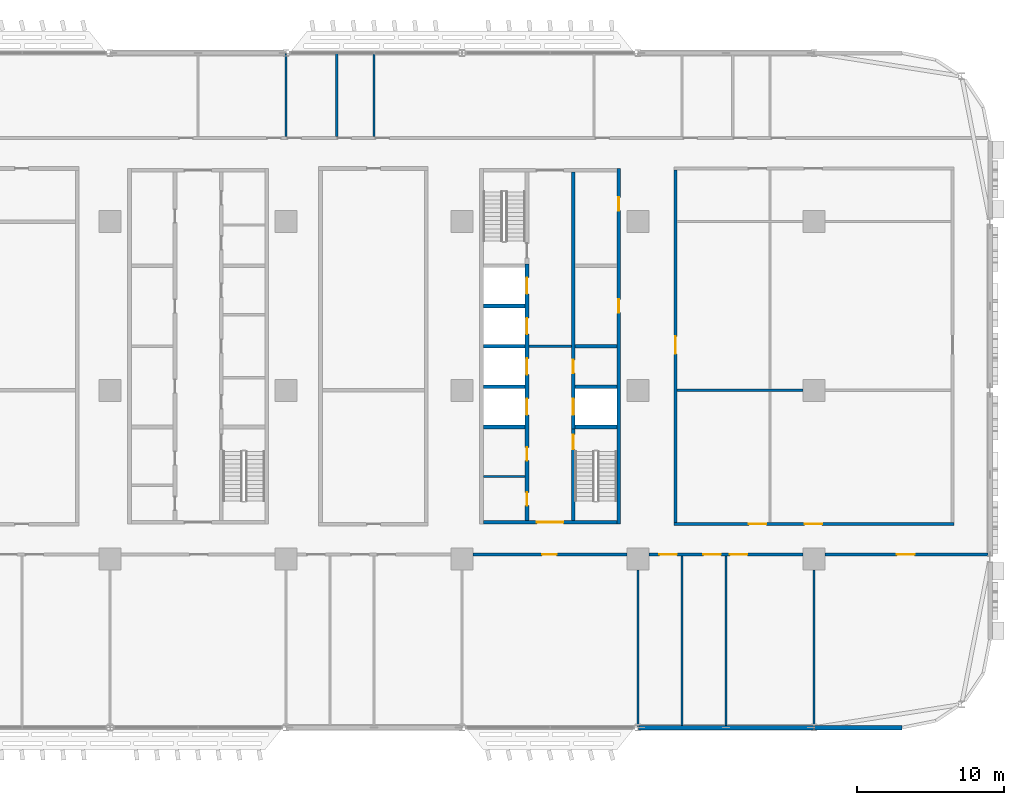
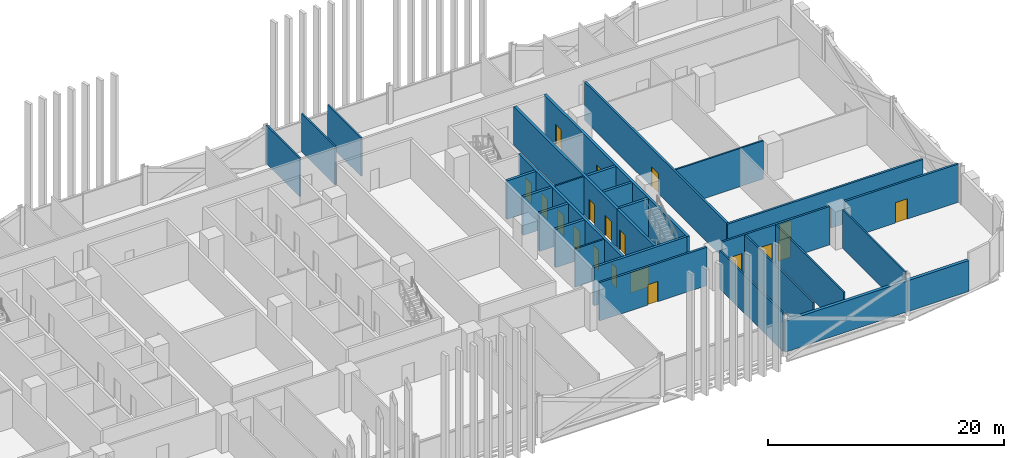
# One storey, part 16 of 29: 29 walls, 20 doors, 20 openings.
"""IFC4 building model written with IfcOpenShell, lengths in metres."""

from ifc_helpers import new_model, si_unit, direction, frame, frame_2d, origin, place, context, subcontext, project, spatial, rectangle, extrude, material, layer, layer_set, type_object, element, fill, save


model = new_model("IFC4")

# Units and contexts
model_context = context("Model", 3, precision=1e-05, world=origin(), true_north=direction((0.0, 1.0)))
body_context = subcontext(model_context, "Body", "Model", "MODEL_VIEW")
ifc_project = project(units=[si_unit("LENGTHUNIT", "METRE"), si_unit("AREAUNIT", "SQUARE_METRE"), si_unit("VOLUMEUNIT", "CUBIC_METRE"), si_unit("PLANEANGLEUNIT", "RADIAN"), si_unit("MASSUNIT", "GRAM", prefix="KILO")], contexts=[model_context])

# Site, building, storey
site_placement = place(None, origin())
site = spatial("IfcSite", under=ifc_project, at=site_placement, CompositionType="ELEMENT")
building_placement = place(site_placement, origin())
building = spatial("IfcBuilding", under=site, at=building_placement, Name="Mahtab Terrace Research Tower", CompositionType="ELEMENT")
storey_placement = place(building_placement, frame((0.0, 0.0, 63.199951171875)))
storey = spatial("IfcBuildingStorey", under=building, at=storey_placement, Name="L14", CompositionType="ELEMENT", Elevation=63.199951171875)

# Walls
ifc_material_1 = material(Name="Gypsum board partition")
ifc_layer_1 = layer(ifc_material_1, 0.14990234375)
ifc_layer_set_1 = layer_set([ifc_layer_1], Name="Core partition 150")
wall_type_1 = type_object("IfcWallType", Name="Core partition 150", PredefinedType="PARTITIONING", material=ifc_layer_set_1)
wall_1_placement = place(storey_placement, frame((22.550048828125, 3.0, 0.0), z_axis=(0.0, 0.0, 1.0), x_axis=(1.0, 0.0, 0.0)))
element("IfcWall", 1, at=wall_1_placement, inside=storey, type_object=wall_type_1, Name="Core wall C ffl", PredefinedType="PARTITIONING", context=body_context, shape_type="SweptSolid", body=[
    extrude(rectangle(XDim=2.89990234375, YDim=0.14990234375, at=frame_2d((1.449951171875, 0.0))), origin(), (0.0, 0.0, 1.0), 3.9599609375),
])
wall_2_placement = place(storey_placement, frame((19.449951171875, -5.875, 0.0), z_axis=(0.0, 0.0, 1.0), x_axis=(1.0, 0.0, 0.0)))
element("IfcWall", 2, at=wall_2_placement, inside=storey, type_object=wall_type_1, Name="Core wall C pWS-888", PredefinedType="PARTITIONING", context=body_context, shape_type="SweptSolid", body=[
    extrude(rectangle(XDim=2.85009765625, YDim=0.14990234375, at=frame_2d((1.425048828125, 0.0))), origin(), (0.0, 0.0, 1.0), 3.9599609375),
])

# Wall, openings, doors
ifc_material_2 = material(Name="Concrete C70/85", Category="concrete")
ifc_layer_2 = layer(ifc_material_2, 0.25)
ifc_layer_set_2 = layer_set([ifc_layer_2], Name="Core wall 250")
wall_type_2 = type_object("IfcWallType", Name="Core wall 250", PredefinedType="SOLIDWALL", material=ifc_layer_set_2)
wall_3_placement = place(storey_placement, frame((28.675048828125, -9.125, 0.0), z_axis=(0.0, 0.0, 1.0), x_axis=(0.0, 1.0, 0.0)))
wall_3 = element("IfcWall", 3, at=wall_3_placement, inside=storey, type_object=wall_type_2, Name="Core wall C outerE", PredefinedType="SOLIDWALL", context=body_context, shape_type="SweptSolid", body=[
    extrude(rectangle(XDim=24.25, YDim=0.25, at=frame_2d((12.125, 0.0))), origin(), (0.0, 0.0, 1.0), 3.9599609375),
])
opening_1_placement = place(wall_3_placement, frame((14.425048828125, 0.0, 0.0)))
opening_1 = element("IfcOpeningElement", 4, at=opening_1_placement, cuts=wall_3, Name="Opening C-R2", PredefinedType="OPENING", context=body_context, shape_type="SweptSolid", body=[
    extrude(rectangle(XDim=0.89990234375, YDim=2.10009765625, at=frame_2d((0.449951171875, 1.050048828125))), frame((0.0, 0.135009765625, 0.0), z_axis=(0.0, -1.0, 0.0), x_axis=(1.0, 0.0, 0.0)), (0.0, 0.0, 1.0), 0.27001953125),
])
opening_2_placement = place(wall_3_placement, frame((21.375, 0.0, 0.0)))
opening_2 = element("IfcOpeningElement", 5, at=opening_2_placement, cuts=wall_3, Name="Opening C-R5", PredefinedType="OPENING", context=body_context, shape_type="SweptSolid", body=[
    extrude(rectangle(XDim=0.89990234375, YDim=2.10009765625, at=frame_2d((0.449951171875, 1.050048828125))), frame((0.0, 0.135009765625, 0.0), z_axis=(0.0, -1.0, 0.0), x_axis=(1.0, 0.0, 0.0)), (0.0, 0.0, 1.0), 0.27001953125),
])
ifc_material_3 = material(Name="Steel fire door", Category="steel")
door_type_1 = type_object("IfcDoorType", Name="Room door 900x2100 1 HR", OperationType="NOTDEFINED", PredefinedType="DOOR", material=ifc_material_3)
door_1_placement = place(opening_1_placement, origin())
door_1 = element("IfcDoor", 6, at=door_1_placement, inside=storey, type_object=door_type_1, Name="Plant room door", OperationType="SINGLE_SWING_RIGHT", OverallHeight=2.10009765625, OverallWidth=0.89990234375, PredefinedType="DOOR", context=body_context, shape_type="SweptSolid", body=[
    extrude(rectangle(XDim=0.89990234375, YDim=2.10009765625, at=frame_2d((0.449951171875, 1.050048828125))), frame((0.0, 0.02490234375, 0.0), z_axis=(0.0, -1.0, 0.0), x_axis=(1.0, 0.0, 0.0)), (0.0, 0.0, 1.0), 0.050048828125),
])
fill(opening_1, door_1)
door_2_placement = place(opening_2_placement, origin())
door_2 = element("IfcDoor", 7, at=door_2_placement, inside=storey, type_object=door_type_1, Name="Gas cylinder store door", OperationType="SINGLE_SWING_LEFT", OverallHeight=2.10009765625, OverallWidth=0.89990234375, PredefinedType="DOOR", context=body_context, shape_type="SweptSolid", body=[
    extrude(rectangle(XDim=0.89990234375, YDim=2.10009765625, at=frame_2d((0.449951171875, 1.050048828125))), frame((0.0, 0.02490234375, 0.0), z_axis=(0.0, -1.0, 0.0), x_axis=(1.0, 0.0, 0.0)), (0.0, 0.0, 1.0), 0.050048828125),
])
fill(opening_2, door_2)

# Wall, opening, door
wall_4_placement = place(storey_placement, frame((28.550048828125, -9.0, 0.0), z_axis=(0.0, 0.0, 1.0), x_axis=(-1.0, 0.0, 0.0)))
wall_4 = element("IfcWall", 8, at=wall_4_placement, inside=storey, type_object=wall_type_2, Name="Core wall C endS", PredefinedType="SOLIDWALL", context=body_context, shape_type="SweptSolid", body=[
    extrude(rectangle(XDim=9.10009765625, YDim=0.25, at=frame_2d((4.550048828125, 0.0))), origin(), (0.0, 0.0, 1.0), 3.9599609375),
])
opening_3_placement = place(wall_4_placement, frame((3.64990234375, 0.0, 0.0)))
opening_3 = element("IfcOpeningElement", 9, at=opening_3_placement, cuts=wall_4, Name="Opening C-S1", PredefinedType="OPENING", context=body_context, shape_type="SweptSolid", body=[
    extrude(rectangle(XDim=1.800048828125, YDim=2.10009765625, at=frame_2d((0.89990234375, 1.050048828125))), frame((0.0, 0.135009765625, 0.0), z_axis=(0.0, -1.0, 0.0), x_axis=(1.0, 0.0, 0.0)), (0.0, 0.0, 1.0), 0.27001953125),
])
door_type_2 = type_object("IfcDoorType", Name="Lobby double door 1800x2100 1 HR", OperationType="DOUBLE_DOOR_SINGLE_SWING", PredefinedType="DOOR", material=ifc_material_3)
door_3_placement = place(opening_3_placement, origin())
door_3 = element("IfcDoor", 10, at=door_3_placement, inside=storey, type_object=door_type_2, Name="Core entrance door C S", OperationType="DOUBLE_DOOR_SINGLE_SWING", OverallHeight=2.10009765625, OverallWidth=1.800048828125, PredefinedType="DOOR", context=body_context, shape_type="SweptSolid", body=[
    extrude(rectangle(XDim=1.800048828125, YDim=2.10009765625, at=frame_2d((0.89990234375, 1.050048828125))), frame((0.0, 0.02490234375, 0.0), z_axis=(0.0, -1.0, 0.0), x_axis=(1.0, 0.0, 0.0)), (0.0, 0.0, 1.0), 0.050048828125),
])
fill(opening_3, door_3)

# Wall, openings, doors
wall_5_placement = place(storey_placement, frame((22.425048828125, -8.875, 0.0), z_axis=(0.0, 0.0, 1.0), x_axis=(0.0, 1.0, 0.0)))
wall_5 = element("IfcWall", 11, at=wall_5_placement, inside=storey, type_object=wall_type_2, Name="Core wall C innerWSL", PredefinedType="SOLIDWALL", context=body_context, shape_type="SweptSolid", body=[
    extrude(rectangle(XDim=17.5, YDim=0.25, at=frame_2d((8.75, 0.0))), origin(), (0.0, 0.0, 1.0), 3.9599609375),
])
opening_4_placement = place(wall_5_placement, frame((7.199951171875, 0.0, 0.0)))
opening_4 = element("IfcOpeningElement", 12, at=opening_4_placement, cuts=wall_5, Name="Opening LD17-L14", PredefinedType="OPENING", context=body_context, shape_type="SweptSolid", body=[
    extrude(rectangle(XDim=1.10009765625, YDim=2.10009765625, at=frame_2d((0.550048828125, 1.050048828125))), frame((0.0, 0.135009765625, 0.0), z_axis=(0.0, -1.0, 0.0), x_axis=(1.0, 0.0, 0.0)), (0.0, 0.0, 1.0), 0.27001953125),
])
opening_5_placement = place(wall_5_placement, frame((9.949951171875, 0.0, 0.0)))
opening_5 = element("IfcOpeningElement", 13, at=opening_5_placement, cuts=wall_5, Name="Opening LD18-L14", PredefinedType="OPENING", context=body_context, shape_type="SweptSolid", body=[
    extrude(rectangle(XDim=1.10009765625, YDim=2.10009765625, at=frame_2d((0.550048828125, 1.050048828125))), frame((0.0, 0.135009765625, 0.0), z_axis=(0.0, -1.0, 0.0), x_axis=(1.0, 0.0, 0.0)), (0.0, 0.0, 1.0), 0.27001953125),
])
opening_6_placement = place(wall_5_placement, frame((12.699951171875, 0.0, 0.0)))
opening_6 = element("IfcOpeningElement", 14, at=opening_6_placement, cuts=wall_5, Name="Opening LD19-L14", PredefinedType="OPENING", context=body_context, shape_type="SweptSolid", body=[
    extrude(rectangle(XDim=1.10009765625, YDim=2.10009765625, at=frame_2d((0.550048828125, 1.050048828125))), frame((0.0, 0.135009765625, 0.0), z_axis=(0.0, -1.0, 0.0), x_axis=(1.0, 0.0, 0.0)), (0.0, 0.0, 1.0), 0.27001953125),
])
opening_7_placement = place(wall_5_placement, frame((15.449951171875, 0.0, 0.0)))
opening_7 = element("IfcOpeningElement", 15, at=opening_7_placement, cuts=wall_5, Name="Opening LD20-L14", PredefinedType="OPENING", context=body_context, shape_type="SweptSolid", body=[
    extrude(rectangle(XDim=1.10009765625, YDim=2.10009765625, at=frame_2d((0.550048828125, 1.050048828125))), frame((0.0, 0.135009765625, 0.0), z_axis=(0.0, -1.0, 0.0), x_axis=(1.0, 0.0, 0.0)), (0.0, 0.0, 1.0), 0.27001953125),
])
opening_8_placement = place(wall_5_placement, frame((1.012451171875, 0.0, 0.0)))
opening_8 = element("IfcOpeningElement", 16, at=opening_8_placement, cuts=wall_5, Name="Opening C-R3", PredefinedType="OPENING", context=body_context, shape_type="SweptSolid", body=[
    extrude(rectangle(XDim=0.89990234375, YDim=2.10009765625, at=frame_2d((0.449951171875, 1.050048828125))), frame((0.0, 0.135009765625, 0.0), z_axis=(0.0, -1.0, 0.0), x_axis=(1.0, 0.0, 0.0)), (0.0, 0.0, 1.0), 0.27001953125),
])
opening_9_placement = place(wall_5_placement, frame((4.08740234375, 0.0, 0.0)))
opening_9 = element("IfcOpeningElement", 17, at=opening_9_placement, cuts=wall_5, Name="Opening C-R4", PredefinedType="OPENING", context=body_context, shape_type="SweptSolid", body=[
    extrude(rectangle(XDim=0.89990234375, YDim=2.10009765625, at=frame_2d((0.449951171875, 1.050048828125))), frame((0.0, 0.135009765625, 0.0), z_axis=(0.0, -1.0, 0.0), x_axis=(1.0, 0.0, 0.0)), (0.0, 0.0, 1.0), 0.27001953125),
])
ifc_material_4 = material(Name="Stainless steel AISI 304", Category="steel")
door_type_3 = type_object("IfcDoorType", Name="Landing door 1100x2100", OperationType="DOUBLE_DOOR_SLIDING", PredefinedType="DOOR", material=ifc_material_4)
door_4_placement = place(opening_4_placement, origin())
door_4 = element("IfcDoor", 18, at=door_4_placement, inside=storey, type_object=door_type_3, Name="Landing door SV1 L14", OperationType="DOUBLE_DOOR_SLIDING", OverallHeight=2.10009765625, OverallWidth=1.10009765625, PredefinedType="DOOR", context=body_context, shape_type="SweptSolid", body=[
    extrude(rectangle(XDim=1.10009765625, YDim=2.10009765625, at=frame_2d((0.550048828125, 1.050048828125))), frame((0.0, 0.02490234375, 0.0), z_axis=(0.0, -1.0, 0.0), x_axis=(1.0, 0.0, 0.0)), (0.0, 0.0, 1.0), 0.050048828125),
])
fill(opening_4, door_4)
door_5_placement = place(opening_5_placement, origin())
door_5 = element("IfcDoor", 19, at=door_5_placement, inside=storey, type_object=door_type_3, Name="Landing door SV2 L14", OperationType="DOUBLE_DOOR_SLIDING", OverallHeight=2.10009765625, OverallWidth=1.10009765625, PredefinedType="DOOR", context=body_context, shape_type="SweptSolid", body=[
    extrude(rectangle(XDim=1.10009765625, YDim=2.10009765625, at=frame_2d((0.550048828125, 1.050048828125))), frame((0.0, 0.02490234375, 0.0), z_axis=(0.0, -1.0, 0.0), x_axis=(1.0, 0.0, 0.0)), (0.0, 0.0, 1.0), 0.050048828125),
])
fill(opening_5, door_5)
door_6_placement = place(opening_6_placement, origin())
door_6 = element("IfcDoor", 20, at=door_6_placement, inside=storey, type_object=door_type_3, Name="Landing door FF1 L14", OperationType="DOUBLE_DOOR_SLIDING", OverallHeight=2.10009765625, OverallWidth=1.10009765625, PredefinedType="DOOR", context=body_context, shape_type="SweptSolid", body=[
    extrude(rectangle(XDim=1.10009765625, YDim=2.10009765625, at=frame_2d((0.550048828125, 1.050048828125))), frame((0.0, 0.02490234375, 0.0), z_axis=(0.0, -1.0, 0.0), x_axis=(1.0, 0.0, 0.0)), (0.0, 0.0, 1.0), 0.050048828125),
])
fill(opening_6, door_6)
door_7_placement = place(opening_7_placement, origin())
door_7 = element("IfcDoor", 21, at=door_7_placement, inside=storey, type_object=door_type_3, Name="Landing door FF2 L14", OperationType="DOUBLE_DOOR_SLIDING", OverallHeight=2.10009765625, OverallWidth=1.10009765625, PredefinedType="DOOR", context=body_context, shape_type="SweptSolid", body=[
    extrude(rectangle(XDim=1.10009765625, YDim=2.10009765625, at=frame_2d((0.550048828125, 1.050048828125))), frame((0.0, 0.02490234375, 0.0), z_axis=(0.0, -1.0, 0.0), x_axis=(1.0, 0.0, 0.0)), (0.0, 0.0, 1.0), 0.050048828125),
])
fill(opening_7, door_7)
door_8_placement = place(opening_8_placement, origin())
door_8 = element("IfcDoor", 22, at=door_8_placement, inside=storey, type_object=door_type_1, Name="Staff WC door", OperationType="SINGLE_SWING_LEFT", OverallHeight=2.10009765625, OverallWidth=0.89990234375, PredefinedType="DOOR", context=body_context, shape_type="SweptSolid", body=[
    extrude(rectangle(XDim=0.89990234375, YDim=2.10009765625, at=frame_2d((0.449951171875, 1.050048828125))), frame((0.0, 0.02490234375, 0.0), z_axis=(0.0, -1.0, 0.0), x_axis=(1.0, 0.0, 0.0)), (0.0, 0.0, 1.0), 0.050048828125),
])
fill(opening_8, door_8)
door_9_placement = place(opening_9_placement, origin())
door_9 = element("IfcDoor", 23, at=door_9_placement, inside=storey, type_object=door_type_1, Name="Accessible WC door", OperationType="SINGLE_SWING_RIGHT", OverallHeight=2.10009765625, OverallWidth=0.89990234375, PredefinedType="DOOR", context=body_context, shape_type="SweptSolid", body=[
    extrude(rectangle(XDim=0.89990234375, YDim=2.10009765625, at=frame_2d((0.449951171875, 1.050048828125))), frame((0.0, 0.02490234375, 0.0), z_axis=(0.0, -1.0, 0.0), x_axis=(1.0, 0.0, 0.0)), (0.0, 0.0, 1.0), 0.050048828125),
])
fill(opening_9, door_9)

# Wall, opening, door
wall_6_placement = place(storey_placement, frame((25.574951171875, -8.875, 0.0), z_axis=(0.0, 0.0, 1.0), x_axis=(0.0, 1.0, 0.0)))
wall_6 = element("IfcWall", 24, at=wall_6_placement, inside=storey, type_object=wall_type_2, Name="Core wall C innerES", PredefinedType="SOLIDWALL", context=body_context, shape_type="SweptSolid", body=[
    extrude(rectangle(XDim=6.25, YDim=0.25, at=frame_2d((3.125, 0.0))), origin(), (0.0, 0.0, 1.0), 3.9599609375),
])
opening_10_placement = place(wall_6_placement, frame((4.85009765625, 0.0, 0.0)))
opening_10 = element("IfcOpeningElement", 25, at=opening_10_placement, cuts=wall_6, Name="Opening C-ST4", PredefinedType="OPENING", context=body_context, shape_type="SweptSolid", body=[
    extrude(rectangle(XDim=1.0, YDim=2.10009765625, at=frame_2d((0.5, 1.050048828125))), frame((0.0, 0.135009765625, 0.0), z_axis=(0.0, -1.0, 0.0), x_axis=(1.0, 0.0, 0.0)), (0.0, 0.0, 1.0), 0.27001953125),
])
door_type_4 = type_object("IfcDoorType", Name="Stair door 1000x2100 1.5 HR", OperationType="NOTDEFINED", PredefinedType="DOOR", material=ifc_material_3)
door_10_placement = place(opening_10_placement, origin())
door_10 = element("IfcDoor", 26, at=door_10_placement, inside=storey, type_object=door_type_4, Name="Stair door ST4 L14", OperationType="SINGLE_SWING_LEFT", OverallHeight=2.10009765625, OverallWidth=1.0, PredefinedType="DOOR", context=body_context, shape_type="SweptSolid", body=[
    extrude(rectangle(XDim=1.0, YDim=2.10009765625, at=frame_2d((0.5, 1.050048828125))), frame((0.0, 0.02490234375, 0.0), z_axis=(0.0, -1.0, 0.0), x_axis=(1.0, 0.0, 0.0)), (0.0, 0.0, 1.0), 0.050048828125),
])
fill(opening_10, door_10)

# Wall, openings, doors
wall_7_placement = place(storey_placement, frame((25.574951171875, 14.875, 0.0), z_axis=(0.0, 0.0, 1.0), x_axis=(0.0, -1.0, 0.0)))
wall_7 = element("IfcWall", 27, at=wall_7_placement, inside=storey, type_object=wall_type_2, Name="Core wall C innerELN", PredefinedType="SOLIDWALL", context=body_context, shape_type="SweptSolid", body=[
    extrude(rectangle(XDim=17.5, YDim=0.25, at=frame_2d((8.75, 0.0))), origin(), (0.0, 0.0, 1.0), 3.9599609375),
])
opening_11_placement = place(wall_7_placement, frame((15.449951171875, 0.0, 0.0)))
opening_11 = element("IfcOpeningElement", 28, at=opening_11_placement, cuts=wall_7, Name="Opening LD21-L14", PredefinedType="OPENING", context=body_context, shape_type="SweptSolid", body=[
    extrude(rectangle(XDim=1.10009765625, YDim=2.10009765625, at=frame_2d((0.550048828125, 1.050048828125))), frame((0.0, 0.135009765625, 0.0), z_axis=(0.0, -1.0, 0.0), x_axis=(1.0, 0.0, 0.0)), (0.0, 0.0, 1.0), 0.27001953125),
])
opening_12_placement = place(wall_7_placement, frame((12.800048828125, 0.0, 0.0)))
opening_12 = element("IfcOpeningElement", 29, at=opening_12_placement, cuts=wall_7, Name="Opening C-R1", PredefinedType="OPENING", context=body_context, shape_type="SweptSolid", body=[
    extrude(rectangle(XDim=0.89990234375, YDim=2.10009765625, at=frame_2d((0.449951171875, 1.050048828125))), frame((0.0, 0.135009765625, 0.0), z_axis=(0.0, -1.0, 0.0), x_axis=(1.0, 0.0, 0.0)), (0.0, 0.0, 1.0), 0.27001953125),
])
door_11_placement = place(opening_11_placement, origin())
door_11 = element("IfcDoor", 30, at=door_11_placement, inside=storey, type_object=door_type_3, Name="Landing door SV3 L14", OperationType="DOUBLE_DOOR_SLIDING", OverallHeight=2.10009765625, OverallWidth=1.10009765625, PredefinedType="DOOR", context=body_context, shape_type="SweptSolid", body=[
    extrude(rectangle(XDim=1.10009765625, YDim=2.10009765625, at=frame_2d((0.550048828125, 1.050048828125))), frame((0.0, 0.02490234375, 0.0), z_axis=(0.0, -1.0, 0.0), x_axis=(1.0, 0.0, 0.0)), (0.0, 0.0, 1.0), 0.050048828125),
])
fill(opening_11, door_11)
door_12_placement = place(opening_12_placement, origin())
door_12 = element("IfcDoor", 31, at=door_12_placement, inside=storey, type_object=door_type_1, Name="Plant room door", OperationType="SINGLE_SWING_LEFT", OverallHeight=2.10009765625, OverallWidth=0.89990234375, PredefinedType="DOOR", context=body_context, shape_type="SweptSolid", body=[
    extrude(rectangle(XDim=0.89990234375, YDim=2.10009765625, at=frame_2d((0.449951171875, 1.050048828125))), frame((0.0, 0.02490234375, 0.0), z_axis=(0.0, -1.0, 0.0), x_axis=(1.0, 0.0, 0.0)), (0.0, 0.0, 1.0), 0.050048828125),
])
fill(opening_12, door_12)

# Walls
for number, where, z_axis, x_axis, name in (
    (32, (19.449951171875, -2.5, 0.0), (0.0, 0.0, 1.0), (1.0, 0.0, 0.0), "Core wall C divW0"),
    (33, (19.449951171875, 0.25, 0.0), (0.0, 0.0, 1.0), (1.0, 0.0, 0.0), "Core wall C divW1"),
    (34, (19.449951171875, 3.0, 0.0), (0.0, 0.0, 1.0), (1.0, 0.0, 0.0), "Core wall C divW2"),
    (35, (19.449951171875, 5.75, 0.0), (0.0, 0.0, 1.0), (1.0, 0.0, 0.0), "Core wall C divW3"),
    (36, (25.699951171875, -2.5, 0.0), (0.0, 0.0, 1.0), (1.0, 0.0, 0.0), "Core wall C divE0"),
    (37, (25.699951171875, 0.25, 0.0), (0.0, 0.0, 1.0), (1.0, 0.0, 0.0), "Core wall C divE1"),
    (38, (25.699951171875, 3.0, 0.0), (0.0, 0.0, 1.0), (1.0, 0.0, 0.0), "Core wall C divE2"),
):
    element("IfcWall", number, at=place(storey_placement, frame(where, z_axis=z_axis, x_axis=x_axis)), inside=storey, type_object=wall_type_2, Name=name, PredefinedType="SOLIDWALL", context=body_context, shape_type="SweptSolid", body=[
        extrude(rectangle(XDim=2.85009765625, YDim=0.25, at=frame_2d((1.425048828125, 0.0))), origin(), (0.0, 0.0, 1.0), 3.9599609375),
    ])
ifc_material_5 = material(Name="Black aluminium cladding panel", Category="aluminium")
ifc_layer_3 = layer(ifc_material_5, 0.300048828125)
ifc_layer_set_3 = layer_set([ifc_layer_3], Name="Opaque facade wall 300")
wall_type_3 = type_object("IfcWallType", Name="Opaque facade wall 300", PredefinedType="NOTDEFINED", material=ifc_layer_set_3)
wall_8_placement = place(storey_placement, frame((30.02392578125, -23.0, 0.0), z_axis=(0.0, 0.0, 1.0), x_axis=(1.0, 0.0, 0.0)))
element("IfcWall", 39, at=wall_8_placement, inside=storey, type_object=wall_type_3, Name="Opaque facade wall L14 S29", PredefinedType="NOTDEFINED", context=body_context, shape_type="SweptSolid", body=[
    extrude(rectangle(XDim=11.9521484375, YDim=0.300048828125, at=frame_2d((5.97607421875, 0.0))), origin(), (0.0, 0.0, 1.0), 3.203125),
])
wall_9_placement = place(storey_placement, frame((42.02392578125, -23.0, 0.0), z_axis=(0.0, 0.0, 1.0), x_axis=(1.0, 0.0, 0.0)))
element("IfcWall", 40, at=wall_9_placement, inside=storey, type_object=wall_type_3, Name="Opaque facade wall L14 S30", PredefinedType="NOTDEFINED", context=body_context, shape_type="SweptSolid", body=[
    extrude(rectangle(XDim=5.97607421875, YDim=0.300048828125, at=frame_2d((2.988037109375, 0.0))), origin(), (0.0, 0.0, 1.0), 3.203125),
])

# Wall, opening, door
ifc_material_6 = material(Name="Gypsum board corridor wall on steel studs", Category="steel")
ifc_layer_4 = layer(ifc_material_6, 0.199951171875)
ifc_layer_set_4 = layer_set([ifc_layer_4], Name="WALL CORRIDOR 200")
wall_type_4 = type_object("IfcWallType", Name="WALL CORRIDOR 200", PredefinedType="PARTITIONING", material=ifc_layer_set_4)
wall_10_placement = place(storey_placement, frame((18.75, -11.199951171875, 0.0), z_axis=(0.0, 0.0, 1.0), x_axis=(1.0, 0.0, 0.0)))
wall_10 = element("IfcWall", 41, at=wall_10_placement, inside=storey, type_object=wall_type_4, Name="L14-W006", PredefinedType="PARTITIONING", context=body_context, shape_type="SweptSolid", body=[
    extrude(rectangle(XDim=10.5, YDim=0.199951171875, at=frame_2d((5.25, 0.0))), origin(), (0.0, 0.0, 1.0), 3.9599609375),
])
opening_13_placement = place(wall_10_placement, frame((4.699951171875, 0.0, 0.0)))
opening_13 = element("IfcOpeningElement", 42, at=opening_13_placement, cuts=wall_10, Name="Opening L14-111", PredefinedType="OPENING", context=body_context, shape_type="SweptSolid", body=[
    extrude(rectangle(XDim=1.0, YDim=2.10009765625, at=frame_2d((0.5, 1.050048828125))), frame((0.0, 0.10986328125, 0.0), z_axis=(0.0, -1.0, 0.0), x_axis=(1.0, 0.0, 0.0)), (0.0, 0.0, 1.0), 0.219970703125),
])
ifc_material_7 = material(Name="Timber door leaf in steel frame", Category="steel")
door_type_5 = type_object("IfcDoorType", Name="DOOR 1000X2100 FD30S", OperationType="SINGLE_SWING_LEFT", PredefinedType="DOOR", material=ifc_material_7)
door_13_placement = place(opening_13_placement, origin())
door_13 = element("IfcDoor", 43, at=door_13_placement, inside=storey, type_object=door_type_5, Name="Door L14-111", OperationType="SINGLE_SWING_RIGHT", OverallHeight=2.10009765625, OverallWidth=1.0, PredefinedType="DOOR", context=body_context, shape_type="SweptSolid", body=[
    extrude(rectangle(XDim=1.0, YDim=2.10009765625, at=frame_2d((0.5, 1.050048828125))), frame((0.0, 0.02490234375, 0.0), z_axis=(0.0, -1.0, 0.0), x_axis=(1.0, 0.0, 0.0)), (0.0, 0.0, 1.0), 0.050048828125),
])
fill(opening_13, door_13)

# Wall, openings, doors
wall_11_placement = place(storey_placement, frame((30.75, -11.199951171875, 0.0), z_axis=(0.0, 0.0, 1.0), x_axis=(1.0, 0.0, 0.0)))
wall_11 = element("IfcWall", 44, at=wall_11_placement, inside=storey, type_object=wall_type_4, Name="L14-W007", PredefinedType="PARTITIONING", context=body_context, shape_type="SweptSolid", body=[
    extrude(rectangle(XDim=10.5, YDim=0.199951171875, at=frame_2d((5.25, 0.0))), origin(), (0.0, 0.0, 1.0), 3.9599609375),
])
opening_14_placement = place(wall_11_placement, frame((0.699951171875, 0.0, 0.0)))
opening_14 = element("IfcOpeningElement", 45, at=opening_14_placement, cuts=wall_11, Name="Opening L14-112", PredefinedType="OPENING", context=body_context, shape_type="SweptSolid", body=[
    extrude(rectangle(XDim=1.199951171875, YDim=2.10009765625, at=frame_2d((0.60009765625, 1.050048828125))), frame((0.0, 0.10986328125, 0.0), z_axis=(0.0, -1.0, 0.0), x_axis=(1.0, 0.0, 0.0)), (0.0, 0.0, 1.0), 0.219970703125),
])
opening_15_placement = place(wall_11_placement, frame((3.699951171875, 0.0, 0.0)))
opening_15 = element("IfcOpeningElement", 46, at=opening_15_placement, cuts=wall_11, Name="Opening L14-113", PredefinedType="OPENING", context=body_context, shape_type="SweptSolid", body=[
    extrude(rectangle(XDim=1.199951171875, YDim=2.10009765625, at=frame_2d((0.60009765625, 1.050048828125))), frame((0.0, 0.10986328125, 0.0), z_axis=(0.0, -1.0, 0.0), x_axis=(1.0, 0.0, 0.0)), (0.0, 0.0, 1.0), 0.219970703125),
])
opening_16_placement = place(wall_11_placement, frame((5.5, 0.0, 0.0)))
opening_16 = element("IfcOpeningElement", 47, at=opening_16_placement, cuts=wall_11, Name="Opening L14-114", PredefinedType="OPENING", context=body_context, shape_type="SweptSolid", body=[
    extrude(rectangle(XDim=1.199951171875, YDim=2.10009765625, at=frame_2d((0.60009765625, 1.050048828125))), frame((0.0, 0.10986328125, 0.0), z_axis=(0.0, -1.0, 0.0), x_axis=(1.0, 0.0, 0.0)), (0.0, 0.0, 1.0), 0.219970703125),
])
door_type_6 = type_object("IfcDoorType", Name="DOOR 1200X2100 FD30S", OperationType="SINGLE_SWING_LEFT", PredefinedType="DOOR", material=ifc_material_7)
door_14_placement = place(opening_14_placement, origin())
door_14 = element("IfcDoor", 48, at=door_14_placement, inside=storey, type_object=door_type_6, Name="Door L14-112", OperationType="SINGLE_SWING_RIGHT", OverallHeight=2.10009765625, OverallWidth=1.199951171875, PredefinedType="DOOR", context=body_context, shape_type="SweptSolid", body=[
    extrude(rectangle(XDim=1.199951171875, YDim=2.10009765625, at=frame_2d((0.60009765625, 1.050048828125))), frame((0.0, 0.02490234375, 0.0), z_axis=(0.0, -1.0, 0.0), x_axis=(1.0, 0.0, 0.0)), (0.0, 0.0, 1.0), 0.050048828125),
])
fill(opening_14, door_14)
door_15_placement = place(opening_15_placement, origin())
door_15 = element("IfcDoor", 49, at=door_15_placement, inside=storey, type_object=door_type_6, Name="Door L14-113", OperationType="SINGLE_SWING_RIGHT", OverallHeight=2.10009765625, OverallWidth=1.199951171875, PredefinedType="DOOR", context=body_context, shape_type="SweptSolid", body=[
    extrude(rectangle(XDim=1.199951171875, YDim=2.10009765625, at=frame_2d((0.60009765625, 1.050048828125))), frame((0.0, 0.02490234375, 0.0), z_axis=(0.0, -1.0, 0.0), x_axis=(1.0, 0.0, 0.0)), (0.0, 0.0, 1.0), 0.050048828125),
])
fill(opening_15, door_15)
door_16_placement = place(opening_16_placement, origin())
door_16 = element("IfcDoor", 50, at=door_16_placement, inside=storey, type_object=door_type_6, Name="Door L14-114", OperationType="SINGLE_SWING_LEFT", OverallHeight=2.10009765625, OverallWidth=1.199951171875, PredefinedType="DOOR", context=body_context, shape_type="SweptSolid", body=[
    extrude(rectangle(XDim=1.199951171875, YDim=2.10009765625, at=frame_2d((0.60009765625, 1.050048828125))), frame((0.0, 0.02490234375, 0.0), z_axis=(0.0, -1.0, 0.0), x_axis=(1.0, 0.0, 0.0)), (0.0, 0.0, 1.0), 0.050048828125),
])
fill(opening_16, door_16)

# Wall, opening, door
wall_12_placement = place(storey_placement, frame((42.75, -11.199951171875, 0.0), z_axis=(0.0, 0.0, 1.0), x_axis=(1.0, 0.0, 0.0)))
wall_12 = element("IfcWall", 51, at=wall_12_placement, inside=storey, type_object=wall_type_4, Name="L14-W008", PredefinedType="PARTITIONING", context=body_context, shape_type="SweptSolid", body=[
    extrude(rectangle(XDim=11.10009765625, YDim=0.199951171875, at=frame_2d((5.550048828125, 0.0))), origin(), (0.0, 0.0, 1.0), 3.9599609375),
])
opening_17_placement = place(wall_12_placement, frame((4.89990234375, 0.0, 0.0)))
opening_17 = element("IfcOpeningElement", 52, at=opening_17_placement, cuts=wall_12, Name="Opening L14-115", PredefinedType="OPENING", context=body_context, shape_type="SweptSolid", body=[
    extrude(rectangle(XDim=1.199951171875, YDim=2.10009765625, at=frame_2d((0.60009765625, 1.050048828125))), frame((0.0, 0.10986328125, 0.0), z_axis=(0.0, -1.0, 0.0), x_axis=(1.0, 0.0, 0.0)), (0.0, 0.0, 1.0), 0.219970703125),
])
door_17_placement = place(opening_17_placement, origin())
door_17 = element("IfcDoor", 53, at=door_17_placement, inside=storey, type_object=door_type_6, Name="Door L14-115", OperationType="SINGLE_SWING_RIGHT", OverallHeight=2.10009765625, OverallWidth=1.199951171875, PredefinedType="DOOR", context=body_context, shape_type="SweptSolid", body=[
    extrude(rectangle(XDim=1.199951171875, YDim=2.10009765625, at=frame_2d((0.60009765625, 1.050048828125))), frame((0.0, 0.02490234375, 0.0), z_axis=(0.0, -1.0, 0.0), x_axis=(1.0, 0.0, 0.0)), (0.0, 0.0, 1.0), 0.050048828125),
])
fill(opening_17, door_17)

# Wall, openings, doors
wall_13_placement = place(storey_placement, frame((32.449951171875, -9.125, 0.0), z_axis=(0.0, 0.0, 1.0), x_axis=(1.0, 0.0, 0.0)))
wall_13 = element("IfcWall", 54, at=wall_13_placement, inside=storey, type_object=wall_type_4, Name="L14-W012", PredefinedType="PARTITIONING", context=body_context, shape_type="SweptSolid", body=[
    extrude(rectangle(XDim=19.10009765625, YDim=0.199951171875, at=frame_2d((9.550048828125, 0.0))), origin(), (0.0, 0.0, 1.0), 3.9599609375),
])
opening_18_placement = place(wall_13_placement, frame((5.10009765625, 0.0, 0.0)))
opening_18 = element("IfcOpeningElement", 55, at=opening_18_placement, cuts=wall_13, Name="Opening L14-119", PredefinedType="OPENING", context=body_context, shape_type="SweptSolid", body=[
    extrude(rectangle(XDim=1.199951171875, YDim=2.10009765625, at=frame_2d((0.60009765625, 1.050048828125))), frame((0.0, 0.10986328125, 0.0), z_axis=(0.0, -1.0, 0.0), x_axis=(1.0, 0.0, 0.0)), (0.0, 0.0, 1.0), 0.219970703125),
])
opening_19_placement = place(wall_13_placement, frame((8.89990234375, 0.0, 0.0)))
opening_19 = element("IfcOpeningElement", 56, at=opening_19_placement, cuts=wall_13, Name="Opening L14-120", PredefinedType="OPENING", context=body_context, shape_type="SweptSolid", body=[
    extrude(rectangle(XDim=1.199951171875, YDim=2.10009765625, at=frame_2d((0.60009765625, 1.050048828125))), frame((0.0, 0.10986328125, 0.0), z_axis=(0.0, -1.0, 0.0), x_axis=(1.0, 0.0, 0.0)), (0.0, 0.0, 1.0), 0.219970703125),
])
door_18_placement = place(opening_18_placement, origin())
door_18 = element("IfcDoor", 57, at=door_18_placement, inside=storey, type_object=door_type_6, Name="Door L14-119", OperationType="SINGLE_SWING_LEFT", OverallHeight=2.10009765625, OverallWidth=1.199951171875, PredefinedType="DOOR", context=body_context, shape_type="SweptSolid", body=[
    extrude(rectangle(XDim=1.199951171875, YDim=2.10009765625, at=frame_2d((0.60009765625, 1.050048828125))), frame((0.0, 0.02490234375, 0.0), z_axis=(0.0, -1.0, 0.0), x_axis=(1.0, 0.0, 0.0)), (0.0, 0.0, 1.0), 0.050048828125),
])
fill(opening_18, door_18)
door_19_placement = place(opening_19_placement, origin())
door_19 = element("IfcDoor", 58, at=door_19_placement, inside=storey, type_object=door_type_6, Name="Door L14-120", OperationType="SINGLE_SWING_LEFT", OverallHeight=2.10009765625, OverallWidth=1.199951171875, PredefinedType="DOOR", context=body_context, shape_type="SweptSolid", body=[
    extrude(rectangle(XDim=1.199951171875, YDim=2.10009765625, at=frame_2d((0.60009765625, 1.050048828125))), frame((0.0, 0.02490234375, 0.0), z_axis=(0.0, -1.0, 0.0), x_axis=(1.0, 0.0, 0.0)), (0.0, 0.0, 1.0), 0.050048828125),
])
fill(opening_19, door_19)

# Wall, opening, door
wall_14_placement = place(storey_placement, frame((32.550048828125, -9.02490234375, 0.0), z_axis=(0.0, 0.0, 1.0), x_axis=(0.0, 1.0, 0.0)))
wall_14 = element("IfcWall", 59, at=wall_14_placement, inside=storey, type_object=wall_type_4, Name="L14-W051", PredefinedType="PARTITIONING", context=body_context, shape_type="SweptSolid", body=[
    extrude(rectangle(XDim=24.0498046875, YDim=0.199951171875, at=frame_2d((12.02490234375, 0.0))), origin(), (0.0, 0.0, 1.0), 3.9599609375),
])
opening_20_placement = place(wall_14_placement, frame((11.5, 0.0, 0.0)))
opening_20 = element("IfcOpeningElement", 60, at=opening_20_placement, cuts=wall_14, Name="Opening L14-122", PredefinedType="OPENING", context=body_context, shape_type="SweptSolid", body=[
    extrude(rectangle(XDim=1.199951171875, YDim=2.10009765625, at=frame_2d((0.60009765625, 1.050048828125))), frame((0.0, 0.10986328125, 0.0), z_axis=(0.0, -1.0, 0.0), x_axis=(1.0, 0.0, 0.0)), (0.0, 0.0, 1.0), 0.219970703125),
])
door_20_placement = place(opening_20_placement, origin())
door_20 = element("IfcDoor", 61, at=door_20_placement, inside=storey, type_object=door_type_6, Name="Door L14-122", OperationType="SINGLE_SWING_LEFT", OverallHeight=2.10009765625, OverallWidth=1.199951171875, PredefinedType="DOOR", context=body_context, shape_type="SweptSolid", body=[
    extrude(rectangle(XDim=1.199951171875, YDim=2.10009765625, at=frame_2d((0.60009765625, 1.050048828125))), frame((0.0, 0.02490234375, 0.0), z_axis=(0.0, -1.0, 0.0), x_axis=(1.0, 0.0, 0.0)), (0.0, 0.0, 1.0), 0.050048828125),
])
fill(opening_20, door_20)

# Walls
ifc_material_8 = material(Name="Gypsum board partition on steel studs", Category="steel")
ifc_layer_5 = layer(ifc_material_8, 0.14990234375)
ifc_layer_set_5 = layer_set([ifc_layer_5], Name="WALL PARTITION 150")
wall_type_5 = type_object("IfcWallType", Name="WALL PARTITION 150", PredefinedType="PARTITIONING", material=ifc_layer_set_5)
wall_15_placement = place(storey_placement, frame((32.64990234375, 0.0, 0.0), z_axis=(0.0, 0.0, 1.0), x_axis=(1.0, 0.0, 0.0)))
element("IfcWall", 62, at=wall_15_placement, inside=storey, type_object=wall_type_5, Name="L14-W016", PredefinedType="PARTITIONING", context=body_context, shape_type="SweptSolid", body=[
    extrude(rectangle(XDim=8.60009765625, YDim=0.14990234375, at=frame_2d((4.300048828125, 0.0))), origin(), (0.0, 0.0, 1.0), 3.9599609375),
])
for number, where, z_axis, x_axis, name in (
    (63, (6.0, 17.300048828125, 0.0), (0.0, 0.0, 1.0), (0.0, 1.0, 0.0), "L14-W041"),
    (64, (9.449951171875, 17.300048828125, 0.0), (0.0, 0.0, 1.0), (0.0, 1.0, 0.0), "L14-W044"),
    (65, (12.0, 17.300048828125, 0.0), (0.0, 0.0, 1.0), (0.0, 1.0, 0.0), "L14-W046"),
):
    element("IfcWall", number, at=place(storey_placement, frame(where, z_axis=z_axis, x_axis=x_axis)), inside=storey, type_object=wall_type_5, Name=name, PredefinedType="PARTITIONING", context=body_context, shape_type="SweptSolid", body=[
        extrude(rectangle(XDim=5.675048828125, YDim=0.14990234375, at=frame_2d((2.83740234375, 0.0))), origin(), (0.0, 0.0, 1.0), 3.9599609375),
    ])
wall_16_placement = place(storey_placement, frame((30.0, -22.97509765625, 0.0), z_axis=(0.0, 0.0, 1.0), x_axis=(0.0, 1.0, 0.0)))
element("IfcWall", 66, at=wall_16_placement, inside=storey, type_object=wall_type_5, Name="L14-W050", PredefinedType="PARTITIONING", context=body_context, shape_type="SweptSolid", body=[
    extrude(rectangle(XDim=10.72509765625, YDim=0.14990234375, at=frame_2d((5.362548828125, 0.0))), origin(), (0.0, 0.0, 1.0), 3.9599609375),
])
for number, where, z_axis, x_axis, name in (
    (67, (33.0, -22.85009765625, 0.0), (0.0, 0.0, 1.0), (0.0, 1.0, 0.0), "L14-W052"),
    (68, (36.0, -22.85009765625, 0.0), (0.0, 0.0, 1.0), (0.0, 1.0, 0.0), "L14-W054"),
):
    element("IfcWall", number, at=place(storey_placement, frame(where, z_axis=z_axis, x_axis=x_axis)), inside=storey, type_object=wall_type_5, Name=name, PredefinedType="PARTITIONING", context=body_context, shape_type="SweptSolid", body=[
        extrude(rectangle(XDim=11.550048828125, YDim=0.14990234375, at=frame_2d((5.77490234375, 0.0))), origin(), (0.0, 0.0, 1.0), 3.9599609375),
    ])
wall_17_placement = place(storey_placement, frame((42.0, -22.85009765625, 0.0), z_axis=(0.0, 0.0, 1.0), x_axis=(0.0, 1.0, 0.0)))
element("IfcWall", 69, at=wall_17_placement, inside=storey, type_object=wall_type_5, Name="L14-W058", PredefinedType="PARTITIONING", context=body_context, shape_type="SweptSolid", body=[
    extrude(rectangle(XDim=10.60009765625, YDim=0.14990234375, at=frame_2d((5.300048828125, 0.0))), origin(), (0.0, 0.0, 1.0), 3.9599609375),
])

save(model, "model.ifc")
